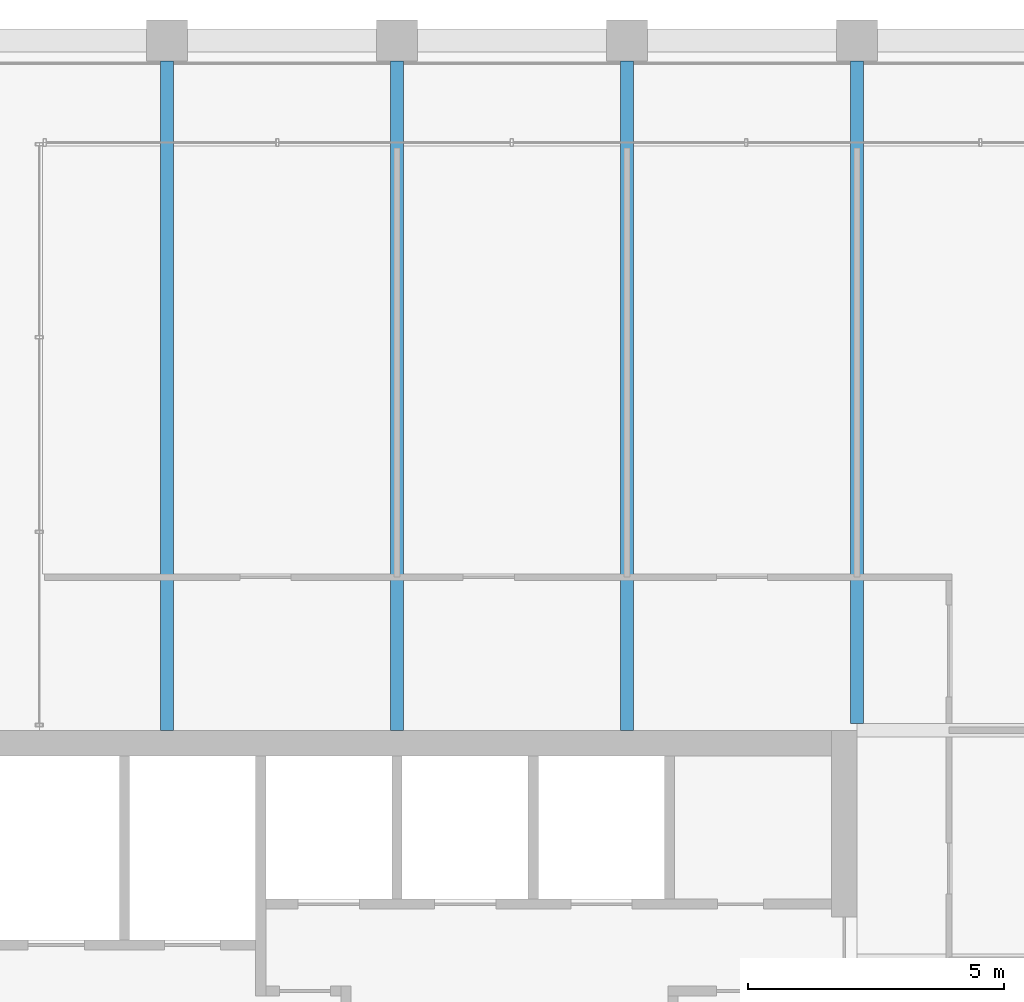
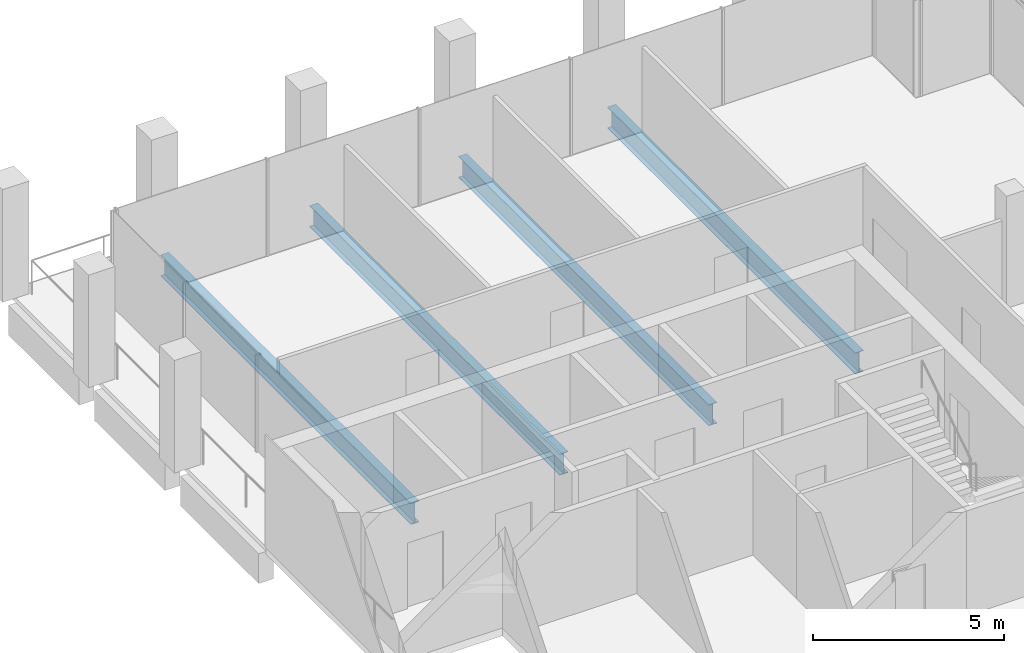
# One storey, part 22 of 30: 4 beams.
"""IFC4 building model written with IfcOpenShell, lengths in metres."""

from ifc_helpers import new_model, si_unit, direction, frame, origin, origin_2d, place, context, subcontext, project, spatial, i_section, extrude, material, material_profile, profile_set, type_object, element, save


model = new_model("IFC4")

# Units and contexts
model_context = context("Model", 3, precision=1e-05, world=origin(), true_north=direction((0.0, 1.0)))
body_context = subcontext(model_context, "Body", "Model", "MODEL_VIEW")
ifc_project = project(units=[si_unit("LENGTHUNIT", "METRE"), si_unit("AREAUNIT", "SQUARE_METRE"), si_unit("VOLUMEUNIT", "CUBIC_METRE"), si_unit("PLANEANGLEUNIT", "RADIAN"), si_unit("MASSUNIT", "GRAM", prefix="KILO")], contexts=[model_context])

# Site, building, storey
site_placement = place(None, origin())
site = spatial("IfcSite", under=ifc_project, at=site_placement, CompositionType="ELEMENT")
building_placement = place(site_placement, origin())
building = spatial("IfcBuilding", under=site, at=building_placement, Name="Altepetl Exchange Towers", CompositionType="ELEMENT")
storey_placement = place(building_placement, frame((0.0, 0.0, 213.60009765625)))
storey = spatial("IfcBuildingStorey", under=building, at=storey_placement, Name="L54", CompositionType="ELEMENT", Elevation=213.60009765625)

# Beams
ifc_material = material(Name="Steel S355", Category="steel")
ifc_material_profile = material_profile(ifc_material, i_section(OverallWidth=0.2529296875, OverallDepth=0.677978515625, WebThickness=0.01171875, FlangeThickness=0.016357421875, at=origin_2d()), Name="W27X84")
ifc_profile_set = profile_set([ifc_material_profile], Name="Steel S355")
beam_type = type_object("IfcBeamType", Name="Floor beam W27X84", PredefinedType="BEAM", material=ifc_profile_set)
for number, where, z_axis, x_axis, name in (
    (1, (45.0, 58.5, -0.489013671875), (0.0, 1.0, 0.0), (-1.0, 0.0, 0.0), "bm:A:L54:000"),
    (2, (49.5, 58.5, -0.489013671875), (0.0, 1.0, 0.0), (-1.0, 0.0, 0.0), "bm:A:L54:001"),
    (3, (54.0, 58.5, -0.489013671875), (0.0, 1.0, 0.0), (-1.0, 0.0, 0.0), "bm:A:L54:002"),
):
    element("IfcBeam", number, at=place(storey_placement, frame(where, z_axis=z_axis, x_axis=x_axis)), inside=storey, type_object=beam_type, Name=name, PredefinedType="BEAM", context=body_context, shape_type="SweptSolid", body=[
        extrude(i_section(OverallWidth=0.2529296875, OverallDepth=0.677978515625, WebThickness=0.01171875, FlangeThickness=0.016357421875, at=origin_2d()), origin(), (0.0, 0.0, 1.0), 13.10009765625),
    ])
beam_placement = place(storey_placement, frame((58.5, 58.634033203125, -0.489013671875), z_axis=(0.0, 1.0, 0.0), x_axis=(-1.0, 0.0, 0.0)))
element("IfcBeam", 4, at=beam_placement, inside=storey, type_object=beam_type, Name="bm:A:L54:003", PredefinedType="BEAM", context=body_context, shape_type="SweptSolid", body=[
    extrude(i_section(OverallWidth=0.2529296875, OverallDepth=0.677978515625, WebThickness=0.01171875, FlangeThickness=0.016357421875, at=origin_2d()), origin(), (0.0, 0.0, 1.0), 12.966064453125),
])

save(model, "model.ifc")
